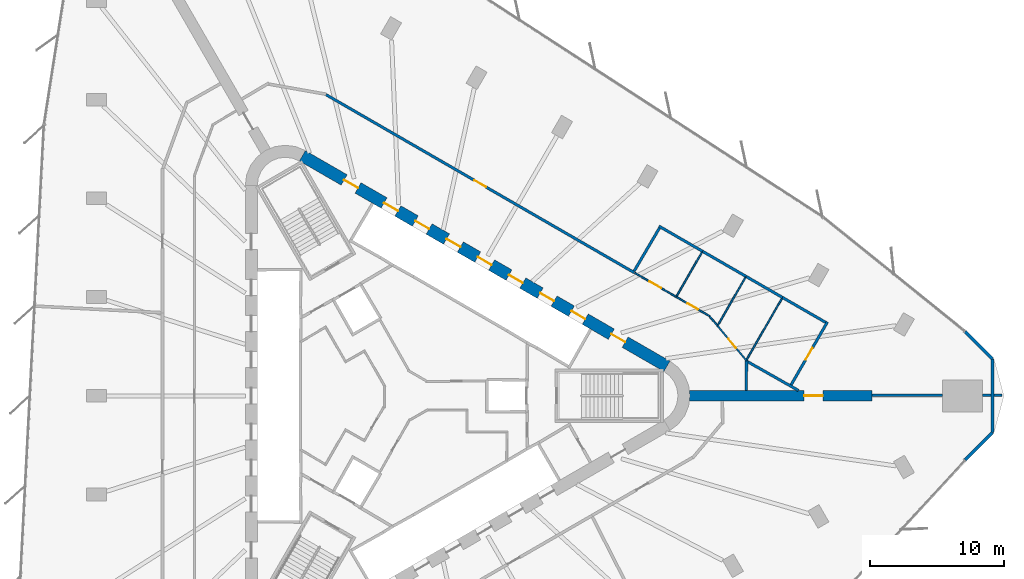
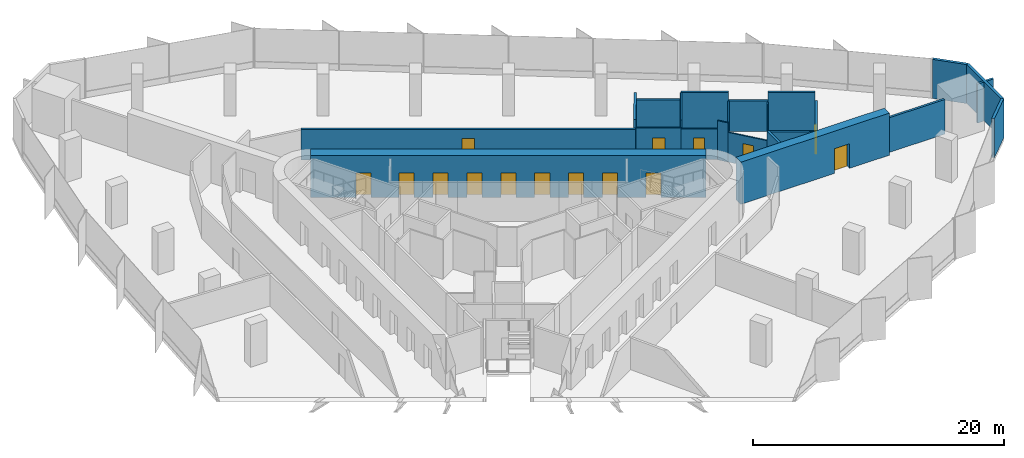
# One storey, part 12 of 14: 24 walls, 15 doors, 15 openings.
"""IFC4 building model written with IfcOpenShell, lengths in metres."""

from ifc_helpers import new_model, si_unit, direction, frame, frame_2d, origin, place, context, subcontext, project, spatial, rectangle, extrude, material, layer, layer_set, type_object, element, fill, save


model = new_model("IFC4")

# Units and contexts
model_context = context("Model", 3, precision=1e-05, world=origin(), true_north=direction((0.0, 1.0)))
body_context = subcontext(model_context, "Body", "Model", "MODEL_VIEW")
ifc_project = project(units=[si_unit("LENGTHUNIT", "METRE"), si_unit("AREAUNIT", "SQUARE_METRE"), si_unit("VOLUMEUNIT", "CUBIC_METRE"), si_unit("PLANEANGLEUNIT", "RADIAN"), si_unit("MASSUNIT", "GRAM", prefix="KILO")], contexts=[model_context])

# Site, building, storey
site_placement = place(None, origin())
site = spatial("IfcSite", under=ifc_project, at=site_placement, CompositionType="ELEMENT")
building_placement = place(site_placement, origin())
building = spatial("IfcBuilding", under=site, at=building_placement, Name="Tanit Gate Tower", CompositionType="ELEMENT")
storey_placement = place(building_placement, frame((0.0, 0.0, 78.300048828125)))
storey = spatial("IfcBuildingStorey", under=building, at=storey_placement, Name="L15", CompositionType="ELEMENT", Elevation=78.300048828125)

# Wall, opening, door
ifc_material_1 = material(Name="Concrete C60/75", Category="concrete")
ifc_layer_1 = layer(ifc_material_1, 0.800048828125)
ifc_layer_set_1 = layer_set([ifc_layer_1], Name="BUTTRESS FIN 800 C60/75")
wall_type_1 = type_object("IfcWallType", Name="BUTTRESS FIN 800 C60/75", PredefinedType="SHEAR", material=ifc_layer_set_1)
wall_1_placement = place(storey_placement, frame((21.14990234375, 0.0, 0.0), z_axis=(0.0, 0.0, 1.0), x_axis=(1.0, 0.0, 0.0)))
wall_1 = element("IfcWall", 1, at=wall_1_placement, inside=storey, type_object=wall_type_1, Name="BUTTRESS FIN", PredefinedType="SHEAR", context=body_context, shape_type="SweptSolid", body=[
    extrude(rectangle(XDim=13.669677734375, YDim=0.800048828125, at=frame_2d((6.8349609375, 0.0))), origin(), (0.0, 0.0, 1.0), 4.099853515625),
])
opening_1_placement = place(wall_1_placement, frame((8.60009765625, 0.0, 0.0)))
opening_1 = element("IfcOpeningElement", 2, at=opening_1_placement, cuts=wall_1, Name="Opening P14-S02-F-E-1", PredefinedType="OPENING", context=body_context, shape_type="SweptSolid", body=[
    extrude(rectangle(XDim=1.39990234375, YDim=2.39990234375, at=frame_2d((0.699951171875, 1.199951171875))), frame((0.0, 0.41015625, 0.0), z_axis=(0.0, -1.0, 0.0), x_axis=(1.0, 0.0, 0.0)), (0.0, 0.0, 1.0), 0.820068359375),
])
ifc_material_2 = material(Name="Timber door leaf", Category="wood")
door_type_1 = type_object("IfcDoorType", Name="INT-DOOR-FIN-PAIR-1400", OperationType="NOTDEFINED", PredefinedType="NOTDEFINED", material=ifc_material_2)
door_1_placement = place(opening_1_placement, origin())
door_1 = element("IfcDoor", 3, at=door_1_placement, inside=storey, type_object=door_type_1, Name="Door P14-S02-F-E-1", OperationType="DOUBLE_DOOR_SINGLE_SWING", OverallHeight=2.39990234375, OverallWidth=1.39990234375, PredefinedType="NOTDEFINED", context=body_context, shape_type="SweptSolid", body=[
    extrude(rectangle(XDim=1.39990234375, YDim=2.39990234375, at=frame_2d((0.699951171875, 1.199951171875))), frame((0.0, 0.02490234375, 0.0), z_axis=(0.0, -1.0, 0.0), x_axis=(1.0, 0.0, 0.0)), (0.0, 0.0, 1.0), 0.050048828125),
])
fill(opening_1, door_1)

# Wall, openings, doors
ifc_material_3 = material(Name="Concrete C60/75", Category="concrete")
ifc_layer_2 = layer(ifc_material_3, 0.89990234375)
ifc_layer_set_2 = layer_set([ifc_layer_2], Name="CORE WALL 900 C60/75")
wall_type_2 = type_object("IfcWallType", Name="CORE WALL 900 C60/75", PredefinedType="SHEAR", material=ifc_layer_set_2)
wall_2_placement = place(storey_placement, frame((19.47509765625, 2.20849609375, 0.0), z_axis=(0.0, 0.0, 1.0), x_axis=(-0.866028369851, 0.499994862586, 0.0)))
wall_2 = element("IfcWall", 4, at=wall_2_placement, inside=storey, type_object=wall_type_2, Name="CORE WALL", PredefinedType="SHEAR", context=body_context, shape_type="SweptSolid", body=[
    extrude(rectangle(XDim=31.523193359375, YDim=0.89990234375, at=frame_2d((15.76171875, 0.0))), origin(), (0.0, 0.0, 1.0), 4.099853515625),
])
opening_2_placement = place(wall_2_placement, frame((7.0615234375, 0.0, 0.0)))
opening_2 = element("IfcOpeningElement", 5, at=opening_2_placement, cuts=wall_2, Name="Opening LDLL8-S02", PredefinedType="OPENING", context=body_context, shape_type="SweptSolid", body=[
    extrude(rectangle(XDim=1.199951171875, YDim=2.39990234375, at=frame_2d((0.60009765625, 1.199951171875))), frame((0.0, 0.4599609375, 0.0), z_axis=(0.0, -1.0, 0.0), x_axis=(1.0, 0.0, 0.0)), (0.0, 0.0, 1.0), 0.919921875),
])
opening_3_placement = place(wall_2_placement, frame((9.76171875, 0.0, 0.0)))
opening_3 = element("IfcOpeningElement", 6, at=opening_3_placement, cuts=wall_2, Name="Opening LDLL9-S02", PredefinedType="OPENING", context=body_context, shape_type="SweptSolid", body=[
    extrude(rectangle(XDim=1.199951171875, YDim=2.39990234375, at=frame_2d((0.60009765625, 1.199951171875))), frame((0.0, 0.4599609375, 0.0), z_axis=(0.0, -1.0, 0.0), x_axis=(1.0, 0.0, 0.0)), (0.0, 0.0, 1.0), 0.919921875),
])
opening_4_placement = place(wall_2_placement, frame((12.461669921875, 0.0, 0.0)))
opening_4 = element("IfcOpeningElement", 7, at=opening_4_placement, cuts=wall_2, Name="Opening LDLL10-S02", PredefinedType="OPENING", context=body_context, shape_type="SweptSolid", body=[
    extrude(rectangle(XDim=1.199951171875, YDim=2.39990234375, at=frame_2d((0.60009765625, 1.199951171875))), frame((0.0, 0.4599609375, 0.0), z_axis=(0.0, -1.0, 0.0), x_axis=(1.0, 0.0, 0.0)), (0.0, 0.0, 1.0), 0.919921875),
])
opening_5_placement = place(wall_2_placement, frame((15.16162109375, 0.0, 0.0)))
opening_5 = element("IfcOpeningElement", 8, at=opening_5_placement, cuts=wall_2, Name="Opening LDSL1-S02", PredefinedType="OPENING", context=body_context, shape_type="SweptSolid", body=[
    extrude(rectangle(XDim=1.199951171875, YDim=2.39990234375, at=frame_2d((0.60009765625, 1.199951171875))), frame((0.0, 0.4599609375, 0.0), z_axis=(0.0, -1.0, 0.0), x_axis=(1.0, 0.0, 0.0)), (0.0, 0.0, 1.0), 0.919921875),
])
opening_6_placement = place(wall_2_placement, frame((17.861572265625, 0.0, 0.0)))
opening_6 = element("IfcOpeningElement", 9, at=opening_6_placement, cuts=wall_2, Name="Opening LDSL2-S02", PredefinedType="OPENING", context=body_context, shape_type="SweptSolid", body=[
    extrude(rectangle(XDim=1.199951171875, YDim=2.39990234375, at=frame_2d((0.60009765625, 1.199951171875))), frame((0.0, 0.4599609375, 0.0), z_axis=(0.0, -1.0, 0.0), x_axis=(1.0, 0.0, 0.0)), (0.0, 0.0, 1.0), 0.919921875),
])
opening_7_placement = place(wall_2_placement, frame((20.5615234375, 0.0, 0.0)))
opening_7 = element("IfcOpeningElement", 10, at=opening_7_placement, cuts=wall_2, Name="Opening LDSL3-S02", PredefinedType="OPENING", context=body_context, shape_type="SweptSolid", body=[
    extrude(rectangle(XDim=1.199951171875, YDim=2.39990234375, at=frame_2d((0.60009765625, 1.199951171875))), frame((0.0, 0.4599609375, 0.0), z_axis=(0.0, -1.0, 0.0), x_axis=(1.0, 0.0, 0.0)), (0.0, 0.0, 1.0), 0.919921875),
])
opening_8_placement = place(wall_2_placement, frame((23.26171875, 0.0, 0.0)))
opening_8 = element("IfcOpeningElement", 11, at=opening_8_placement, cuts=wall_2, Name="Opening LDSL4-S02", PredefinedType="OPENING", context=body_context, shape_type="SweptSolid", body=[
    extrude(rectangle(XDim=1.199951171875, YDim=2.39990234375, at=frame_2d((0.60009765625, 1.199951171875))), frame((0.0, 0.4599609375, 0.0), z_axis=(0.0, -1.0, 0.0), x_axis=(1.0, 0.0, 0.0)), (0.0, 0.0, 1.0), 0.919921875),
])
opening_9_placement = place(wall_2_placement, frame((3.611572265625, 0.0, 0.0)))
opening_9 = element("IfcOpeningElement", 12, at=opening_9_placement, cuts=wall_2, Name="Opening F12-S02-FL1", PredefinedType="OPENING", context=body_context, shape_type="SweptSolid", body=[
    extrude(rectangle(XDim=1.199951171875, YDim=2.39990234375, at=frame_2d((0.60009765625, 1.199951171875))), frame((0.0, 0.4599609375, 0.0), z_axis=(0.0, -1.0, 0.0), x_axis=(1.0, 0.0, 0.0)), (0.0, 0.0, 1.0), 0.919921875),
])
opening_10_placement = place(wall_2_placement, frame((26.711669921875, 0.0, 0.0)))
opening_10 = element("IfcOpeningElement", 13, at=opening_10_placement, cuts=wall_2, Name="Opening F12-S02-S2", PredefinedType="OPENING", context=body_context, shape_type="SweptSolid", body=[
    extrude(rectangle(XDim=1.199951171875, YDim=2.39990234375, at=frame_2d((0.60009765625, 1.199951171875))), frame((0.0, 0.4599609375, 0.0), z_axis=(0.0, -1.0, 0.0), x_axis=(1.0, 0.0, 0.0)), (0.0, 0.0, 1.0), 0.919921875),
])
ifc_material_4 = material(Name="Fire-rated steel door leaf", Category="steel")
door_type_2 = type_object("IfcDoorType", Name="INT-DOOR-FIRE-LOBBY-1200", OperationType="NOTDEFINED", PredefinedType="USERDEFINED", material=ifc_material_4)
door_2_placement = place(opening_9_placement, origin())
door_2 = element("IfcDoor", 14, at=door_2_placement, inside=storey, type_object=door_type_2, Name="Door F12-S02-FL1", ObjectType="FIRE DOOR", OperationType="SINGLE_SWING_LEFT", OverallHeight=2.39990234375, OverallWidth=1.199951171875, PredefinedType="USERDEFINED", context=body_context, shape_type="SweptSolid", body=[
    extrude(rectangle(XDim=1.199951171875, YDim=2.39990234375, at=frame_2d((0.60009765625, 1.199951171875))), frame((0.0, 0.02490234375, 0.0), z_axis=(0.0, -1.0, 0.0), x_axis=(1.0, 0.0, 0.0)), (0.0, 0.0, 1.0), 0.050048828125),
])
fill(opening_9, door_2)
door_3_placement = place(opening_10_placement, origin())
door_3 = element("IfcDoor", 15, at=door_3_placement, inside=storey, type_object=door_type_2, Name="Door F12-S02-S2", ObjectType="FIRE DOOR", OperationType="SINGLE_SWING_RIGHT", OverallHeight=2.39990234375, OverallWidth=1.199951171875, PredefinedType="USERDEFINED", context=body_context, shape_type="SweptSolid", body=[
    extrude(rectangle(XDim=1.199951171875, YDim=2.39990234375, at=frame_2d((0.60009765625, 1.199951171875))), frame((0.0, 0.02490234375, 0.0), z_axis=(0.0, -1.0, 0.0), x_axis=(1.0, 0.0, 0.0)), (0.0, 0.0, 1.0), 0.050048828125),
])
fill(opening_10, door_3)
ifc_material_5 = material(Name="Stainless steel sliding door leaf", Category="steel")
door_type_3 = type_object("IfcDoorType", Name="INT-DOOR-LANDING-1200", OperationType="NOTDEFINED", PredefinedType="USERDEFINED", material=ifc_material_5)
door_4_placement = place(opening_2_placement, origin())
door_4 = element("IfcDoor", 16, at=door_4_placement, inside=storey, type_object=door_type_3, Name="Door LDLL8-S02", ObjectType="LANDING DOOR", OperationType="SLIDING_TO_LEFT", OverallHeight=2.39990234375, OverallWidth=1.199951171875, PredefinedType="USERDEFINED", context=body_context, shape_type="SweptSolid", body=[
    extrude(rectangle(XDim=1.199951171875, YDim=2.39990234375, at=frame_2d((0.60009765625, 1.199951171875))), frame((0.0, 0.02490234375, 0.0), z_axis=(0.0, -1.0, 0.0), x_axis=(1.0, 0.0, 0.0)), (0.0, 0.0, 1.0), 0.050048828125),
])
fill(opening_2, door_4)
door_5_placement = place(opening_3_placement, origin())
door_5 = element("IfcDoor", 17, at=door_5_placement, inside=storey, type_object=door_type_3, Name="Door LDLL9-S02", ObjectType="LANDING DOOR", OperationType="SLIDING_TO_LEFT", OverallHeight=2.39990234375, OverallWidth=1.199951171875, PredefinedType="USERDEFINED", context=body_context, shape_type="SweptSolid", body=[
    extrude(rectangle(XDim=1.199951171875, YDim=2.39990234375, at=frame_2d((0.60009765625, 1.199951171875))), frame((0.0, 0.02490234375, 0.0), z_axis=(0.0, -1.0, 0.0), x_axis=(1.0, 0.0, 0.0)), (0.0, 0.0, 1.0), 0.050048828125),
])
fill(opening_3, door_5)
door_6_placement = place(opening_4_placement, origin())
door_6 = element("IfcDoor", 18, at=door_6_placement, inside=storey, type_object=door_type_3, Name="Door LDLL10-S02", ObjectType="LANDING DOOR", OperationType="SLIDING_TO_LEFT", OverallHeight=2.39990234375, OverallWidth=1.199951171875, PredefinedType="USERDEFINED", context=body_context, shape_type="SweptSolid", body=[
    extrude(rectangle(XDim=1.199951171875, YDim=2.39990234375, at=frame_2d((0.60009765625, 1.199951171875))), frame((0.0, 0.02490234375, 0.0), z_axis=(0.0, -1.0, 0.0), x_axis=(1.0, 0.0, 0.0)), (0.0, 0.0, 1.0), 0.050048828125),
])
fill(opening_4, door_6)
door_7_placement = place(opening_5_placement, origin())
door_7 = element("IfcDoor", 19, at=door_7_placement, inside=storey, type_object=door_type_3, Name="Door LDSL1-S02", ObjectType="LANDING DOOR", OperationType="SLIDING_TO_LEFT", OverallHeight=2.39990234375, OverallWidth=1.199951171875, PredefinedType="USERDEFINED", context=body_context, shape_type="SweptSolid", body=[
    extrude(rectangle(XDim=1.199951171875, YDim=2.39990234375, at=frame_2d((0.60009765625, 1.199951171875))), frame((0.0, 0.02490234375, 0.0), z_axis=(0.0, -1.0, 0.0), x_axis=(1.0, 0.0, 0.0)), (0.0, 0.0, 1.0), 0.050048828125),
])
fill(opening_5, door_7)
door_8_placement = place(opening_6_placement, origin())
door_8 = element("IfcDoor", 20, at=door_8_placement, inside=storey, type_object=door_type_3, Name="Door LDSL2-S02", ObjectType="LANDING DOOR", OperationType="SLIDING_TO_LEFT", OverallHeight=2.39990234375, OverallWidth=1.199951171875, PredefinedType="USERDEFINED", context=body_context, shape_type="SweptSolid", body=[
    extrude(rectangle(XDim=1.199951171875, YDim=2.39990234375, at=frame_2d((0.60009765625, 1.199951171875))), frame((0.0, 0.02490234375, 0.0), z_axis=(0.0, -1.0, 0.0), x_axis=(1.0, 0.0, 0.0)), (0.0, 0.0, 1.0), 0.050048828125),
])
fill(opening_6, door_8)
door_9_placement = place(opening_7_placement, origin())
door_9 = element("IfcDoor", 21, at=door_9_placement, inside=storey, type_object=door_type_3, Name="Door LDSL3-S02", ObjectType="LANDING DOOR", OperationType="SLIDING_TO_LEFT", OverallHeight=2.39990234375, OverallWidth=1.199951171875, PredefinedType="USERDEFINED", context=body_context, shape_type="SweptSolid", body=[
    extrude(rectangle(XDim=1.199951171875, YDim=2.39990234375, at=frame_2d((0.60009765625, 1.199951171875))), frame((0.0, 0.02490234375, 0.0), z_axis=(0.0, -1.0, 0.0), x_axis=(1.0, 0.0, 0.0)), (0.0, 0.0, 1.0), 0.050048828125),
])
fill(opening_7, door_9)
door_10_placement = place(opening_8_placement, origin())
door_10 = element("IfcDoor", 22, at=door_10_placement, inside=storey, type_object=door_type_3, Name="Door LDSL4-S02", ObjectType="LANDING DOOR", OperationType="SLIDING_TO_LEFT", OverallHeight=2.39990234375, OverallWidth=1.199951171875, PredefinedType="USERDEFINED", context=body_context, shape_type="SweptSolid", body=[
    extrude(rectangle(XDim=1.199951171875, YDim=2.39990234375, at=frame_2d((0.60009765625, 1.199951171875))), frame((0.0, 0.02490234375, 0.0), z_axis=(0.0, -1.0, 0.0), x_axis=(1.0, 0.0, 0.0)), (0.0, 0.0, 1.0), 0.050048828125),
])
fill(opening_8, door_10)

# Walls
ifc_material_6 = material(Name="Concrete C30/37 with bronze anodised aluminium cladding", Category="concrete")
ifc_layer_3 = layer(ifc_material_6, 0.239990234375)
ifc_layer_set_3 = layer_set([ifc_layer_3], Name="Facade wall bronze clad 240")
wall_type_3 = type_object("IfcWallType", Name="Facade wall bronze clad 240", PredefinedType="SOLIDWALL", material=ifc_layer_set_3)
wall_3_placement = place(storey_placement, frame((41.8017578125, -4.814453125, 0.0), z_axis=(0.0, 0.0, 1.0), x_axis=(0.707148907235, 0.707064652629, 0.0)))
element("IfcWall", 23, at=wall_3_placement, inside=storey, type_object=wall_type_3, Name="Bronze-clad facade wall L15 E.arc1", PredefinedType="SOLIDWALL", context=body_context, shape_type="SweptSolid", body=[
    extrude(rectangle(XDim=2.897705078125, YDim=0.239990234375, at=frame_2d((1.44873046875, 0.0))), origin(), (0.0, 0.0, 1.0), 3.800048828125),
])
wall_4_placement = place(storey_placement, frame((43.850830078125, -2.765625, 0.0), z_axis=(0.0, 0.0, 1.0), x_axis=(0.0, 1.0, 0.0)))
element("IfcWall", 24, at=wall_4_placement, inside=storey, type_object=wall_type_3, Name="Bronze-clad facade wall L15 E.arc2", PredefinedType="SOLIDWALL", context=body_context, shape_type="SweptSolid", body=[
    extrude(rectangle(XDim=5.53125, YDim=0.239990234375, at=frame_2d((2.765625, 0.0))), origin(), (0.0, 0.0, 1.0), 3.800048828125),
])
wall_5_placement = place(storey_placement, frame((43.850830078125, 2.765625, 0.0), z_axis=(0.0, 0.0, 1.0), x_axis=(-0.707106781187, 0.707106781187, 0.0)))
element("IfcWall", 25, at=wall_5_placement, inside=storey, type_object=wall_type_3, Name="Bronze-clad facade wall L15 E.arc3", PredefinedType="SOLIDWALL", context=body_context, shape_type="SweptSolid", body=[
    extrude(rectangle(XDim=2.888916015625, YDim=0.239990234375, at=frame_2d((1.4443359375, 0.0))), origin(), (0.0, 0.0, 1.0), 3.800048828125),
])

# Wall, opening, door
ifc_material_7 = material(Name="Fire-rated gypsum board partition")
ifc_layer_4 = layer(ifc_material_7, 0.199951171875)
ifc_layer_set_4 = layer_set([ifc_layer_4], Name="INT-WALL-COMPARTMENT")
wall_type_4 = type_object("IfcWallType", Name="INT-WALL-COMPARTMENT", PredefinedType="PARTITIONING", material=ifc_layer_set_4)
wall_6_placement = place(storey_placement, frame((17.02294921875, 9.224365234375, 0.0), z_axis=(0.0, 0.0, 1.0), x_axis=(-0.866024925705, 0.500000828058, 0.0)))
wall_6 = element("IfcWall", 26, at=wall_6_placement, inside=storey, type_object=wall_type_4, Name="Wall Compartment W096", PredefinedType="PARTITIONING", context=body_context, shape_type="SweptSolid", body=[
    extrude(rectangle(XDim=26.64697265625, YDim=0.199951171875, at=frame_2d((13.323486328125, 0.0))), origin(), (0.0, 0.0, 1.0), 2.97998046875),
])
opening_11_placement = place(wall_6_placement, frame((12.823486328125, 0.0, 0.0)))
opening_11 = element("IfcOpeningElement", 27, at=opening_11_placement, cuts=wall_6, Name="Opening F10-S02-21", PredefinedType="OPENING", context=body_context, shape_type="SweptSolid", body=[
    extrude(rectangle(XDim=1.0, YDim=2.10009765625, at=frame_2d((0.5, 1.050048828125))), frame((0.0, 0.10986328125, 0.0), z_axis=(0.0, -1.0, 0.0), x_axis=(1.0, 0.0, 0.0)), (0.0, 0.0, 1.0), 0.219970703125),
])
ifc_material_8 = material(Name="Fire-rated steel door leaf", Category="steel")
door_type_4 = type_object("IfcDoorType", Name="INT-DOOR-FIRE-1000", OperationType="NOTDEFINED", PredefinedType="USERDEFINED", material=ifc_material_8)
door_11_placement = place(opening_11_placement, origin())
door_11 = element("IfcDoor", 28, at=door_11_placement, inside=storey, type_object=door_type_4, Name="Door F10-S02-21", ObjectType="FIRE DOOR", OperationType="SINGLE_SWING_RIGHT", OverallHeight=2.10009765625, OverallWidth=1.0, PredefinedType="USERDEFINED", context=body_context, shape_type="SweptSolid", body=[
    extrude(rectangle(XDim=1.0, YDim=2.10009765625, at=frame_2d((0.5, 1.050048828125))), frame((0.0, 0.02490234375, 0.0), z_axis=(0.0, -1.0, 0.0), x_axis=(1.0, 0.0, 0.0)), (0.0, 0.0, 1.0), 0.050048828125),
])
fill(opening_11, door_11)

# Walls
wall_7_placement = place(storey_placement, frame((25.41845703125, 0.39990234375, 0.0), z_axis=(0.0, 0.0, 1.0), x_axis=(0.005737699208, 0.999983539268, 0.0)))
element("IfcWall", 29, at=wall_7_placement, inside=storey, type_object=wall_type_4, Name="Wall Compartment W097", PredefinedType="PARTITIONING", context=body_context, shape_type="SweptSolid", body=[
    extrude(rectangle(XDim=2.255126953125, YDim=0.199951171875, at=frame_2d((1.12744140625, 0.0))), origin(), (0.0, 0.0, 1.0), 3.800048828125),
])
wall_8_placement = place(storey_placement, frame((34.819580078125, 0.030029296875, 0.0), z_axis=(0.0, 0.0, 1.0), x_axis=(1.0, 0.0, 0.0)))
element("IfcWall", 30, at=wall_8_placement, inside=storey, type_object=wall_type_4, Name="Wall Compartment W114", PredefinedType="PARTITIONING", context=body_context, shape_type="SweptSolid", body=[
    extrude(rectangle(XDim=5.29638671875, YDim=0.199951171875, at=frame_2d((2.648193359375, 0.0))), origin(), (0.0, 0.0, 1.0), 3.369873046875),
])
wall_9_placement = place(storey_placement, frame((43.115966796875, 0.030029296875, 0.0), z_axis=(0.0, 0.0, 1.0), x_axis=(1.0, 0.0, 0.0)))
element("IfcWall", 31, at=wall_9_placement, inside=storey, type_object=wall_type_4, Name="Wall Compartment W115", PredefinedType="PARTITIONING", context=body_context, shape_type="SweptSolid", body=[
    extrude(rectangle(XDim=0.61474609375, YDim=0.199951171875, at=frame_2d((0.307373046875, 0.0))), origin(), (0.0, 0.0, 1.0), 3.800048828125),
])
wall_10_placement = place(storey_placement, frame((43.970703125, 0.030029296875, 0.0), z_axis=(0.0, 0.0, 1.0), x_axis=(1.0, 0.0, 0.0)))
element("IfcWall", 32, at=wall_10_placement, inside=storey, type_object=wall_type_4, Name="Wall Compartment W115x1", PredefinedType="PARTITIONING", context=body_context, shape_type="SweptSolid", body=[
    extrude(rectangle(XDim=0.613037109375, YDim=0.199951171875, at=frame_2d((0.306640625, 0.0))), origin(), (0.0, 0.0, 1.0), 3.800048828125),
])
wall_11_placement = place(storey_placement, frame((18.88037109375, 12.70166015625, 0.0), z_axis=(0.0, 0.0, 1.0), x_axis=(0.865994330033, -0.500053817454, 0.0)))
element("IfcWall", 33, at=wall_11_placement, inside=storey, type_object=wall_type_4, Name="Wall Compartment W116", PredefinedType="PARTITIONING", context=body_context, shape_type="SweptSolid", body=[
    extrude(rectangle(XDim=3.7626953125, YDim=0.199951171875, at=frame_2d((1.88134765625, 0.0))), origin(), (0.0, 0.0, 1.0), 3.079833984375),
])
wall_12_placement = place(storey_placement, frame((22.138916015625, 10.820068359375, 0.0), z_axis=(0.0, 0.0, 1.0), x_axis=(0.866026773083, -0.499997628298, 0.0)))
element("IfcWall", 34, at=wall_12_placement, inside=storey, type_object=wall_type_4, Name="Wall Compartment W118", PredefinedType="PARTITIONING", context=body_context, shape_type="SweptSolid", body=[
    extrude(rectangle(XDim=3.76318359375, YDim=0.199951171875, at=frame_2d((1.881591796875, 0.0))), origin(), (0.0, 0.0, 1.0), 3.800048828125),
])
wall_13_placement = place(storey_placement, frame((25.39794921875, 8.9384765625, 0.0), z_axis=(0.0, 0.0, 1.0), x_axis=(0.86602447079, -0.500001615989, 0.0)))
element("IfcWall", 35, at=wall_13_placement, inside=storey, type_object=wall_type_4, Name="Wall Compartment W119", PredefinedType="PARTITIONING", context=body_context, shape_type="SweptSolid", body=[
    extrude(rectangle(XDim=3.154296875, YDim=0.199951171875, at=frame_2d((1.5771484375, 0.0))), origin(), (0.0, 0.0, 1.0), 2.97998046875),
])
wall_14_placement = place(storey_placement, frame((28.129638671875, 7.361328125, 0.0), z_axis=(0.0, 0.0, 1.0), x_axis=(0.866035156036, -0.499983108224, 0.0)))
element("IfcWall", 36, at=wall_14_placement, inside=storey, type_object=wall_type_4, Name="Wall Compartment W122", PredefinedType="PARTITIONING", context=body_context, shape_type="SweptSolid", body=[
    extrude(rectangle(XDim=3.729736328125, YDim=0.199951171875, at=frame_2d((1.86474609375, 0.0))), origin(), (0.0, 0.0, 1.0), 3.800048828125),
])
wall_15_placement = place(storey_placement, frame((17.021484375, 9.340576171875, 0.0), z_axis=(0.0, 0.0, 1.0), x_axis=(0.506583621903, 0.862190833876, 0.0)))
element("IfcWall", 37, at=wall_15_placement, inside=storey, type_object=wall_type_4, Name="Wall Compartment W117", PredefinedType="PARTITIONING", context=body_context, shape_type="SweptSolid", body=[
    extrude(rectangle(XDim=3.740234375, YDim=0.199951171875, at=frame_2d((1.8701171875, 0.0))), origin(), (0.0, 0.0, 1.0), 3.800048828125),
])
wall_16_placement = place(storey_placement, frame((25.4462890625, 2.594482421875, 0.0), z_axis=(0.0, 0.0, 1.0), x_axis=(0.869969631216, -0.493105303928, 0.0)))
element("IfcWall", 38, at=wall_16_placement, inside=storey, type_object=wall_type_4, Name="Wall Compartment W120", PredefinedType="PARTITIONING", context=body_context, shape_type="SweptSolid", body=[
    extrude(rectangle(XDim=4.450439453125, YDim=0.199951171875, at=frame_2d((2.22509765625, 0.0))), origin(), (0.0, 0.0, 1.0), 3.800048828125),
])

# Wall, opening, door
wall_17_placement = place(storey_placement, frame((28.7763671875, 0.822021484375, 0.0), z_axis=(0.0, 0.0, 1.0), x_axis=(0.499995686755, 0.866027894023, 0.0)))
wall_17 = element("IfcWall", 39, at=wall_17_placement, inside=storey, type_object=wall_type_4, Name="Wall Compartment W121", PredefinedType="PARTITIONING", context=body_context, shape_type="SweptSolid", body=[
    extrude(rectangle(XDim=5.43994140625, YDim=0.199951171875, at=frame_2d((2.719970703125, 0.0))), origin(), (0.0, 0.0, 1.0), 2.8798828125),
])
opening_12_placement = place(wall_17_placement, frame((2.169921875, 0.0, 0.0)))
opening_12 = element("IfcOpeningElement", 40, at=opening_12_placement, cuts=wall_17, Name="Opening F10-S02-18", PredefinedType="OPENING", context=body_context, shape_type="SweptSolid", body=[
    extrude(rectangle(XDim=1.0, YDim=2.10009765625, at=frame_2d((0.5, 1.050048828125))), frame((0.0, 0.10986328125, 0.0), z_axis=(0.0, -1.0, 0.0), x_axis=(1.0, 0.0, 0.0)), (0.0, 0.0, 1.0), 0.219970703125),
])
door_12_placement = place(opening_12_placement, origin())
door_12 = element("IfcDoor", 41, at=door_12_placement, inside=storey, type_object=door_type_4, Name="Door F10-S02-18", ObjectType="FIRE DOOR", OperationType="SINGLE_SWING_LEFT", OverallHeight=2.10009765625, OverallWidth=1.0, PredefinedType="USERDEFINED", context=body_context, shape_type="SweptSolid", body=[
    extrude(rectangle(XDim=1.0, YDim=2.10009765625, at=frame_2d((0.5, 1.050048828125))), frame((0.0, 0.02490234375, 0.0), z_axis=(0.0, -1.0, 0.0), x_axis=(1.0, 0.0, 0.0)), (0.0, 0.0, 1.0), 0.050048828125),
])
fill(opening_12, door_12)

ifc_material_9 = material(Name="Gypsum board partition")
ifc_layer_5 = layer(ifc_material_9, 0.1201171875)
ifc_layer_set_5 = layer_set([ifc_layer_5], Name="INT-WALL-PARTITION")
wall_type_5 = type_object("IfcWallType", Name="INT-WALL-PARTITION", PredefinedType="PARTITIONING", material=ifc_layer_set_5)
wall_18_placement = place(storey_placement, frame((22.692626953125, 5.950927734375, 0.0), z_axis=(0.0, 0.0, 1.0), x_axis=(-0.866027933502, 0.499995618375, 0.0)))
wall_18 = element("IfcWall", 42, at=wall_18_placement, inside=storey, type_object=wall_type_5, Name="Wall Partition W099", PredefinedType="PARTITIONING", context=body_context, shape_type="SweptSolid", body=[
    extrude(rectangle(XDim=2.9140625, YDim=0.1201171875, at=frame_2d((1.45703125, 0.0))), origin(), (0.0, 0.0, 1.0), 2.97998046875),
])
opening_13_placement = place(wall_18_placement, frame((1.037109375, 0.0, 0.0)))
opening_13 = element("IfcOpeningElement", 43, at=opening_13_placement, cuts=wall_18, Name="Opening D09-S02-16", PredefinedType="OPENING", context=body_context, shape_type="SweptSolid", body=[
    extrude(rectangle(XDim=0.89990234375, YDim=2.10009765625, at=frame_2d((0.449951171875, 1.050048828125))), frame((0.0, 0.070068359375, 0.0), z_axis=(0.0, -1.0, 0.0), x_axis=(1.0, 0.0, 0.0)), (0.0, 0.0, 1.0), 0.14013671875),
])
ifc_material_10 = material(Name="Timber door leaf", Category="wood")
door_type_5 = type_object("IfcDoorType", Name="INT-DOOR-SINGLE-900", OperationType="NOTDEFINED", PredefinedType="NOTDEFINED", material=ifc_material_10)
door_13_placement = place(opening_13_placement, origin())
door_13 = element("IfcDoor", 44, at=door_13_placement, inside=storey, type_object=door_type_5, Name="Door D09-S02-16", OperationType="SINGLE_SWING_RIGHT", OverallHeight=2.10009765625, OverallWidth=0.89990234375, PredefinedType="NOTDEFINED", context=body_context, shape_type="SweptSolid", body=[
    extrude(rectangle(XDim=0.89990234375, YDim=2.10009765625, at=frame_2d((0.449951171875, 1.050048828125))), frame((0.0, 0.02490234375, 0.0), z_axis=(0.0, -1.0, 0.0), x_axis=(1.0, 0.0, 0.0)), (0.0, 0.0, 1.0), 0.050048828125),
])
fill(opening_13, door_13)

wall_19_placement = place(storey_placement, frame((20.1689453125, 7.407958984375, 0.0), z_axis=(0.0, 0.0, 1.0), x_axis=(-0.866035089317, 0.49998322379, 0.0)))
wall_19 = element("IfcWall", 45, at=wall_19_placement, inside=storey, type_object=wall_type_5, Name="Wall Partition W098", PredefinedType="PARTITIONING", context=body_context, shape_type="SweptSolid", body=[
    extrude(rectangle(XDim=3.5927734375, YDim=0.1201171875, at=frame_2d((1.79638671875, 0.0))), origin(), (0.0, 0.0, 1.0), 3.079833984375),
])
opening_14_placement = place(wall_19_placement, frame((1.29638671875, 0.0, 0.0)))
opening_14 = element("IfcOpeningElement", 46, at=opening_14_placement, cuts=wall_19, Name="Opening D10-S02-15", PredefinedType="OPENING", context=body_context, shape_type="SweptSolid", body=[
    extrude(rectangle(XDim=1.0, YDim=2.10009765625, at=frame_2d((0.5, 1.050048828125))), frame((0.0, 0.070068359375, 0.0), z_axis=(0.0, -1.0, 0.0), x_axis=(1.0, 0.0, 0.0)), (0.0, 0.0, 1.0), 0.14013671875),
])
ifc_material_11 = material(Name="Timber door leaf", Category="wood")
door_type_6 = type_object("IfcDoorType", Name="INT-DOOR-SINGLE-1000", OperationType="NOTDEFINED", PredefinedType="NOTDEFINED", material=ifc_material_11)
door_14_placement = place(opening_14_placement, origin())
door_14 = element("IfcDoor", 47, at=door_14_placement, inside=storey, type_object=door_type_6, Name="Door D10-S02-15", OperationType="SINGLE_SWING_LEFT", OverallHeight=2.10009765625, OverallWidth=1.0, PredefinedType="NOTDEFINED", context=body_context, shape_type="SweptSolid", body=[
    extrude(rectangle(XDim=1.0, YDim=2.10009765625, at=frame_2d((0.5, 1.050048828125))), frame((0.0, 0.02490234375, 0.0), z_axis=(0.0, -1.0, 0.0), x_axis=(1.0, 0.0, 0.0)), (0.0, 0.0, 1.0), 0.050048828125),
])
fill(opening_14, door_14)

# Wall
wall_20_placement = place(storey_placement, frame((23.26904296875, 5.232177734375, 0.0), z_axis=(0.0, 0.0, 1.0), x_axis=(-0.642823857783, 0.766014025893, 0.0)))
element("IfcWall", 48, at=wall_20_placement, inside=storey, type_object=wall_type_5, Name="Wall Partition W100", PredefinedType="PARTITIONING", context=body_context, shape_type="SweptSolid", body=[
    extrude(rectangle(XDim=0.91748046875, YDim=0.1201171875, at=frame_2d((0.458740234375, 0.0))), origin(), (0.0, 0.0, 1.0), 3.800048828125),
])

# Wall, opening, door
wall_21_placement = place(storey_placement, frame((25.4462890625, 2.614501953125, 0.0), z_axis=(0.0, 0.0, 1.0), x_axis=(-0.63946471851, 0.768820443134, 0.0)))
wall_21 = element("IfcWall", 49, at=wall_21_placement, inside=storey, type_object=wall_type_5, Name="Wall Partition W101", PredefinedType="PARTITIONING", context=body_context, shape_type="SweptSolid", body=[
    extrude(rectangle(XDim=3.40478515625, YDim=0.1201171875, at=frame_2d((1.702392578125, 0.0))), origin(), (0.0, 0.0, 1.0), 2.8798828125),
])
opening_15_placement = place(wall_21_placement, frame((1.25244140625, 0.0, 0.0)))
opening_15 = element("IfcOpeningElement", 50, at=opening_15_placement, cuts=wall_21, Name="Opening D09-S02-17", PredefinedType="OPENING", context=body_context, shape_type="SweptSolid", body=[
    extrude(rectangle(XDim=0.89990234375, YDim=2.10009765625, at=frame_2d((0.449951171875, 1.050048828125))), frame((0.0, 0.070068359375, 0.0), z_axis=(0.0, -1.0, 0.0), x_axis=(1.0, 0.0, 0.0)), (0.0, 0.0, 1.0), 0.14013671875),
])
door_15_placement = place(opening_15_placement, origin())
door_15 = element("IfcDoor", 51, at=door_15_placement, inside=storey, type_object=door_type_5, Name="Door D09-S02-17", OperationType="SINGLE_SWING_RIGHT", OverallHeight=2.10009765625, OverallWidth=0.89990234375, PredefinedType="NOTDEFINED", context=body_context, shape_type="SweptSolid", body=[
    extrude(rectangle(XDim=0.89990234375, YDim=2.10009765625, at=frame_2d((0.449951171875, 1.050048828125))), frame((0.0, 0.02490234375, 0.0), z_axis=(0.0, -1.0, 0.0), x_axis=(1.0, 0.0, 0.0)), (0.0, 0.0, 1.0), 0.050048828125),
])
fill(opening_15, door_15)

# Walls
wall_22_placement = place(storey_placement, frame((22.0888671875, 10.733642578125, 0.0), z_axis=(0.0, 0.0, 1.0), x_axis=(-0.499966587594, -0.866044693586, 0.0)))
element("IfcWall", 52, at=wall_22_placement, inside=storey, type_object=wall_type_5, Name="Wall Partition W125", PredefinedType="PARTITIONING", context=body_context, shape_type="SweptSolid", body=[
    extrude(rectangle(XDim=3.780029296875, YDim=0.1201171875, at=frame_2d((1.89013671875, 0.0))), origin(), (0.0, 0.0, 1.0), 3.800048828125),
])
wall_23_placement = place(storey_placement, frame((25.34814453125, 8.851806640625, 0.0), z_axis=(0.0, 0.0, 1.0), x_axis=(-0.500051773299, -0.865995510393, 0.0)))
element("IfcWall", 53, at=wall_23_placement, inside=storey, type_object=wall_type_5, Name="Wall Partition W126", PredefinedType="PARTITIONING", context=body_context, shape_type="SweptSolid", body=[
    extrude(rectangle(XDim=4.10693359375, YDim=0.1201171875, at=frame_2d((2.053466796875, 0.0))), origin(), (0.0, 0.0, 1.0), 2.97998046875),
])
wall_24_placement = place(storey_placement, frame((28.07958984375, 7.27490234375, 0.0), z_axis=(0.0, 0.0, 1.0), x_axis=(-0.499984685083, -0.866034245675, 0.0)))
element("IfcWall", 54, at=wall_24_placement, inside=storey, type_object=wall_type_5, Name="Wall Partition W127", PredefinedType="PARTITIONING", context=body_context, shape_type="SweptSolid", body=[
    extrude(rectangle(XDim=5.319091796875, YDim=0.1201171875, at=frame_2d((2.65966796875, 0.0))), origin(), (0.0, 0.0, 1.0), 2.8798828125),
])

save(model, "model.ifc")
